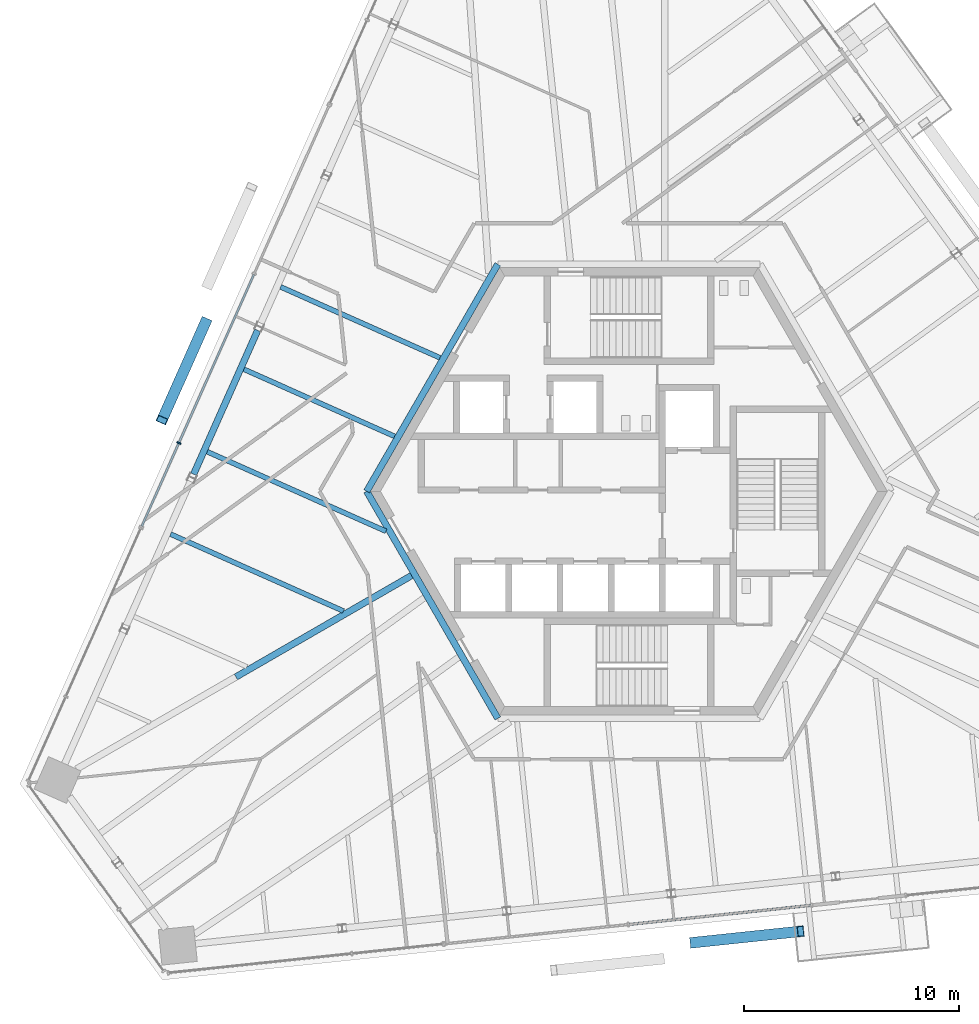
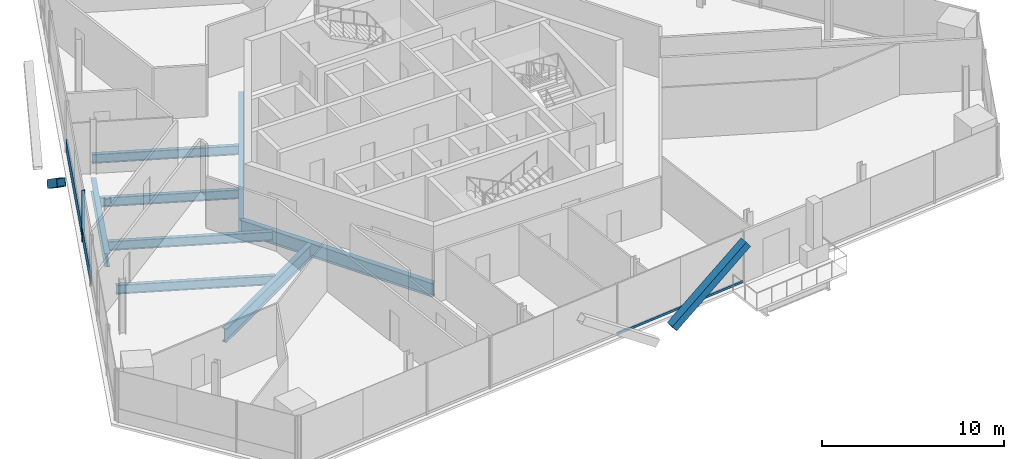
# One storey, part 5 of 18: 8 beams, 6 members, 2 elements without a shape of their own.
"""IFC4 building model written with IfcOpenShell, lengths in metres."""

import ifcopenshell
import ifcopenshell.guid

model = None  # the IFC model being written
_history = None  # IfcOwnerHistory: only IFC2X3 demands one
_inside = {}  # id of a spatial element -> (the spatial element, [elements in it])
_under = {}  # id of a project, library or spatial element -> (it, [spatial elements below it])
_declared = {}  # id of a project -> (the project, [libraries it declares])
_typed = {}  # id of a type object -> (the type object, [elements of that type])
_made_of = {}  # id of a material, layer set ... -> (it, [elements and type objects made of it])


def new_model(schema):
    """Start an empty IFC model of exactly this schema.

    Asked for "IFC4X3", IfcOpenShell would pick the latest addendum, in which some entities
    have other attributes; the version numbers below select the first issue.
    IFC2X3 requires an IfcOwnerHistory on every rooted entity: one is made here for all.
    """
    global model, _history
    if schema == "IFC4X3":
        model = ifcopenshell.file(schema_version=(4, 3, 0, 0))
    else:
        model = ifcopenshell.file(schema=schema)
    _inside.clear()
    _under.clear()
    _declared.clear()
    _typed.clear()
    _made_of.clear()
    _history = None
    if model.schema == "IFC2X3":
        org = make("IfcOrganization", Name="unknown")
        user = make(
            "IfcPersonAndOrganization",
            ThePerson=make("IfcPerson", FamilyName="unknown"),
            TheOrganization=org,
        )
        app = make(
            "IfcApplication",
            ApplicationDeveloper=org,
            Version="unknown",
            ApplicationFullName="unknown",
            ApplicationIdentifier="unknown",
        )
        _history = make(
            "IfcOwnerHistory",
            OwningUser=user,
            OwningApplication=app,
            ChangeAction="ADDED",
            CreationDate=0,
        )
    return model


def make(cls, **values):
    """One entity of the class cls with the attributes given. An attribute that is None is left unset."""
    return model.create_entity(
        cls, **{name: value for name, value in values.items() if value is not None}
    )


def rooted(cls, **values):
    """An entity with a GlobalId (a new one), such as an element, a storey or a relation."""
    return make(cls, GlobalId=ifcopenshell.guid.new(), OwnerHistory=_history, **values)


def si_unit(unit_type, name, prefix=None):
    """IfcSIUnit, for example si_unit("LENGTHUNIT", "METRE", prefix="MILLI")."""
    return make("IfcSIUnit", UnitType=unit_type, Prefix=prefix, Name=name)


def assignment(units):
    """IfcUnitAssignment: the units of a project."""
    return None if units is None else make("IfcUnitAssignment", Units=units)


def point(xyz):
    """IfcCartesianPoint."""
    return None if xyz is None else make("IfcCartesianPoint", Coordinates=xyz)


def direction(xyz):
    """IfcDirection."""
    return None if xyz is None else make("IfcDirection", DirectionRatios=xyz)


def frame(location, z_axis=None, x_axis=None):
    """IfcAxis2Placement3D, a coordinate frame: its origin and axes. An axis left out is left unset."""
    return make(
        "IfcAxis2Placement3D",
        Location=point(location),
        Axis=direction(z_axis),
        RefDirection=direction(x_axis),
    )


def frame_2d(location, x_axis=None):
    """IfcAxis2Placement2D, a coordinate frame in the plane: its origin and x axis."""
    return make(
        "IfcAxis2Placement2D", Location=point(location), RefDirection=direction(x_axis)
    )


def origin():
    """The frame at (0, 0, 0) with its axes left unset."""
    return frame((0.0, 0.0, 0.0))


def origin_2d():
    """The frame at (0, 0) in the plane with its x axis left unset."""
    return frame_2d((0.0, 0.0))


def place(relative_to, where):
    """IfcLocalPlacement: puts the frame where relative to a parent placement (None: the world)."""
    return make(
        "IfcLocalPlacement", PlacementRelTo=relative_to, RelativePlacement=where
    )


def context(
    kind, dimensions, precision=None, world=None, true_north=None, identifier=None
):
    """IfcGeometricRepresentationContext, for example the 3D "Model" context."""
    return make(
        "IfcGeometricRepresentationContext",
        ContextIdentifier=identifier,
        ContextType=kind,
        CoordinateSpaceDimension=dimensions,
        Precision=precision,
        WorldCoordinateSystem=world,
        TrueNorth=true_north,
    )


def subcontext(parent, identifier, kind, view, scale=None):
    """IfcGeometricRepresentationSubContext, for example "Body" below "Model"."""
    return make(
        "IfcGeometricRepresentationSubContext",
        ContextIdentifier=identifier,
        ContextType=kind,
        ParentContext=parent,
        TargetScale=scale,
        TargetView=view,
    )


def project(units=None, contexts=None):
    """IfcProject with its units and contexts."""
    return rooted(
        "IfcProject",
        Name="project",
        RepresentationContexts=contexts,
        UnitsInContext=assignment(units),
    )


def spatial(cls, under=None, at=None, **own):
    """A site, building, storey or space (cls), placed at a placement, below another one or the project."""
    s = rooted(cls, ObjectPlacement=at, **own)
    if under is not None:
        _under.setdefault(under.id(), (under, []))[1].append(s)
    return s


def profile(cls, at=None, kind="AREA", **sizes):
    """A parametric profile (cls). Its sizes go by their IFC names, for example OverallWidth=200.0."""
    return make(cls, ProfileType=kind, Position=at, **sizes)


def rectangle(**sizes):
    """IfcRectangleProfileDef."""
    return profile("IfcRectangleProfileDef", **sizes)


def hollow_rectangle(**sizes):
    """IfcRectangleHollowProfileDef."""
    return profile("IfcRectangleHollowProfileDef", **sizes)


def i_section(**sizes):
    """IfcIShapeProfileDef."""
    return profile("IfcIShapeProfileDef", **sizes)


def extrude(swept, where, along, depth):
    """IfcExtrudedAreaSolid: the profile swept, set in the frame where, extruded along a direction by depth."""
    return make(
        "IfcExtrudedAreaSolid",
        SweptArea=swept,
        Position=where,
        ExtrudedDirection=direction(along),
        Depth=depth,
    )


def shape(context_of_items, identifier, shape_type, items):
    """IfcShapeRepresentation: the items that make up one representation, for example the "Body"."""
    return make(
        "IfcShapeRepresentation",
        ContextOfItems=context_of_items,
        RepresentationIdentifier=identifier,
        RepresentationType=shape_type,
        Items=items,
    )


def source(mapping_origin, context_of_items, identifier, shape_type, items):
    """IfcRepresentationMap: a shape defined once, which mapped items show again and again."""
    return make(
        "IfcRepresentationMap",
        MappingOrigin=mapping_origin,
        MappedRepresentation=shape(context_of_items, identifier, shape_type, items),
    )


def transform(
    local_origin,
    x_axis=None,
    y_axis=None,
    z_axis=None,
    scale=None,
    scale2=None,
    scale3=None,
    uniform=True,
):
    """IfcCartesianTransformationOperator3D, or its non-uniform kind. x_axis, y_axis, z_axis: its Axis1, 2, 3."""
    if uniform:
        return make(
            "IfcCartesianTransformationOperator3D",
            Axis1=direction(x_axis),
            Axis2=direction(y_axis),
            LocalOrigin=point(local_origin),
            Scale=scale,
            Axis3=direction(z_axis),
        )
    return make(
        "IfcCartesianTransformationOperator3DnonUniform",
        Axis1=direction(x_axis),
        Axis2=direction(y_axis),
        LocalOrigin=point(local_origin),
        Scale=scale,
        Axis3=direction(z_axis),
        Scale2=scale2,
        Scale3=scale3,
    )


def mapped(mapping_source, mapping_target):
    """IfcMappedItem: shows the shape of a source again, moved by a transform."""
    return make(
        "IfcMappedItem", MappingSource=mapping_source, MappingTarget=mapping_target
    )


def material(Name=None, Category=None):
    """IfcMaterial."""
    return make("IfcMaterial", Name=Name, Category=Category)


def material_profile(
    of_material, cross_section, Name=None, Category=None, Priority=None
):
    """IfcMaterialProfile: a cross section and its material."""
    return make(
        "IfcMaterialProfile",
        Name=Name,
        Material=of_material,
        Profile=cross_section,
        Priority=Priority,
        Category=Category,
    )


def profile_set(profiles, Name=None, composite=None):
    """IfcMaterialProfileSet."""
    return make(
        "IfcMaterialProfileSet",
        Name=Name,
        MaterialProfiles=profiles,
        CompositeProfile=composite,
    )


def made_of(thing, what):
    """Note that an element or type object is made of a material, layer set ...; save() writes the relation."""
    if what is not None:
        _made_of.setdefault(what.id(), (what, []))[1].append(thing)
    return thing


def type_object(cls, material=None, **own):
    """A type object (cls), such as IfcWallType, which elements share."""
    return made_of(rooted(cls, **own), material)


def element(
    cls,
    number,
    at=None,
    inside=None,
    cuts=None,
    type_object=None,
    material=None,
    context=None,
    identifier="Body",
    shape_type=None,
    held_by="IfcProductDefinitionShape",
    body=None,
    shapes=None,
    **own,
):
    """One element of the class cls, such as IfcWall. Its Tag is "e" and its number.

    at: its placement. inside: the storey or other place that contains it. cuts: it is an
    opening in that element (IfcRelVoidsElement). A single representation is given by context,
    identifier, shape_type and body (its items); several are given by shapes. held_by: the class
    of the entity that holds the representations. save() writes the other relations.
    """
    e = rooted(cls, Tag="e%d" % number, ObjectPlacement=at, **own)
    if body is not None:
        shapes = [shape(context, identifier, shape_type, body)]
    if shapes is not None:
        e.Representation = make(held_by, Representations=shapes)
    if inside is not None:
        _inside.setdefault(inside.id(), (inside, []))[1].append(e)
    if cuts is not None:
        rooted(
            "IfcRelVoidsElement", RelatingBuildingElement=cuts, RelatedOpeningElement=e
        )
    if type_object is not None:
        _typed.setdefault(type_object.id(), (type_object, []))[1].append(e)
    return made_of(e, material)


def aggregate(whole, parts):
    """IfcRelAggregates: a whole, such as a stair, and the parts it consists of."""
    return rooted("IfcRelAggregates", RelatingObject=whole, RelatedObjects=parts)


def save(model, path):
    """Write the relations noted so far, then the file.

    IfcRelAggregates (storeys below a building ...), IfcRelContainedInSpatialStructure (elements
    in a storey), IfcRelDefinesByType, IfcRelAssociatesMaterial and IfcRelDeclares: one each for
    every whole, place, type object, material and project.
    """
    for whole, parts in _under.values():
        aggregate(whole, parts)
    for where, things in _inside.values():
        rooted(
            "IfcRelContainedInSpatialStructure",
            RelatedElements=things,
            RelatingStructure=where,
        )
    for kind, things in _typed.values():
        rooted("IfcRelDefinesByType", RelatedObjects=things, RelatingType=kind)
    for what, things in _made_of.values():
        rooted("IfcRelAssociatesMaterial", RelatedObjects=things, RelatingMaterial=what)
    for by, libraries in _declared.values():
        rooted("IfcRelDeclares", RelatingContext=by, RelatedDefinitions=libraries)
    model.write(path)


model = new_model("IFC4")

# Units and contexts
model_context = context("Model", 3, precision=1e-05, world=origin(), true_north=direction((0.0, 1.0)))
body_context = subcontext(model_context, "Body", "Model", "MODEL_VIEW")
ifc_project = project(units=[si_unit("LENGTHUNIT", "METRE"), si_unit("AREAUNIT", "SQUARE_METRE"), si_unit("VOLUMEUNIT", "CUBIC_METRE"), si_unit("PLANEANGLEUNIT", "RADIAN"), si_unit("MASSUNIT", "GRAM", prefix="KILO")], contexts=[model_context])

# Site, building, storey
site_placement = place(None, origin())
site = spatial("IfcSite", under=ifc_project, at=site_placement, CompositionType="ELEMENT")
building_placement = place(site_placement, origin())
building = spatial("IfcBuilding", under=site, at=building_placement, Name="Triune Harvest Tower", CompositionType="ELEMENT")
storey_placement = place(building_placement, frame((0.0, 0.0, 237.699951171875)))
storey = spatial("IfcBuildingStorey", under=building, at=storey_placement, Name="L62", CompositionType="ELEMENT", Elevation=237.699951171875)

# Beams
ifc_material_1 = material(Name="Steel ASTM A992 Gr 50", Category="steel")
ifc_material_profile_1 = material_profile(ifc_material_1, i_section(OverallWidth=0.3046875, OverallDepth=0.914306640625, WebThickness=0.0166015625, FlangeThickness=0.02587890625, at=origin_2d()), Name="W36x160")
ifc_profile_set_1 = profile_set([ifc_material_profile_1], Name="Steel ASTM A992 Gr 50")
beam_type_1 = type_object("IfcBeamType", Name="CG-1 Core ring girder W36x160", PredefinedType="BEAM", material=ifc_profile_set_1)
shared_shape_1 = source(origin(), body_context, "Body", "SweptSolid", [
    extrude(i_section(OverallWidth=0.3046875, OverallDepth=0.914306640625, WebThickness=0.0166015625, FlangeThickness=0.02587890625, at=origin_2d()), origin(), (0.0, 0.0, 1.0), 12.176025390625),
])
for number, where, z_axis, x_axis, name in (
    (1, (-6.087890625, 10.544677734375, -0.6171875), (-0.5000099932, -0.866019634131, 0.0), (0.866019634131, -0.5000099932, 0.0), "beam/L62/CG3"),
    (2, (-12.176025390625, 0.0, -0.6171875), (0.5000099932, -0.866019634131, 0.0), (0.866019634131, 0.5000099932, 0.0), "beam/L62/CG4"),
):
    element("IfcBeam", number, at=place(storey_placement, frame(where, z_axis=z_axis, x_axis=x_axis)), inside=storey, type_object=beam_type_1, Name=name, PredefinedType="BEAM", context=body_context, shape_type="MappedRepresentation", body=[
        mapped(shared_shape_1, transform((0.0, 0.0, 0.0), scale=1.0)),
    ])
ifc_material_2 = material(Name="Steel ASTM A992 Gr 50", Category="steel")
ifc_material_profile_2 = material_profile(ifc_material_2, i_section(OverallWidth=0.3046875, OverallDepth=0.914306640625, WebThickness=0.0166015625, FlangeThickness=0.02587890625, at=origin_2d()), Name="W36x160")
ifc_profile_set_2 = profile_set([ifc_material_profile_2], Name="Steel ASTM A992 Gr 50")
beam_type_2 = type_object("IfcBeamType", Name="HG-3 Hip girder W36x160", PredefinedType="BEAM", material=ifc_profile_set_2)
shared_shape_2 = source(origin(), body_context, "Body", "SweptSolid", [
    extrude(i_section(OverallWidth=0.3046875, OverallDepth=0.914306640625, WebThickness=0.0166015625, FlangeThickness=0.02587890625, at=origin_2d()), origin(), (0.0, 0.0, 1.0), 9.416259765625),
])
beam_1_placement = place(storey_placement, frame((-18.247802734375, -8.62060546875, -0.6171875), z_axis=(0.866032742664, 0.499987288472, 0.0), x_axis=(-0.499987288472, 0.866032742664, 0.0)))
element("IfcBeam", 3, at=beam_1_placement, inside=storey, type_object=beam_type_2, Name="beam/L62/HG6", PredefinedType="BEAM", context=body_context, shape_type="MappedRepresentation", body=[
    mapped(shared_shape_2, transform((0.0, 0.0, 0.0), scale=1.0)),
])
ifc_material_3 = material(Name="Steel ASTM A992 Gr 50", Category="steel")
ifc_material_profile_3 = material_profile(ifc_material_3, i_section(OverallWidth=0.3046875, OverallDepth=0.914306640625, WebThickness=0.0166015625, FlangeThickness=0.02587890625, at=origin_2d()), Name="W36x160")
ifc_profile_set_3 = profile_set([ifc_material_profile_3], Name="Steel ASTM A992 Gr 50")
beam_type_3 = type_object("IfcBeamType", Name="SB-1 Spandrel beam W36x160", PredefinedType="SPANDREL", material=ifc_profile_set_3)
shared_shape_3 = source(origin(), body_context, "Body", "SweptSolid", [
    extrude(i_section(OverallWidth=0.3046875, OverallDepth=0.914306640625, WebThickness=0.0166015625, FlangeThickness=0.02587890625, at=origin_2d()), origin(), (0.0, 0.0, 1.0), 7.311279296875),
])
beam_2_placement = place(storey_placement, frame((-17.238525390625, 7.4736328125, -0.6171875), z_axis=(-0.406748727305, -0.913540077301, 0.0), x_axis=(0.913540077301, -0.406748727305, 0.0)))
element("IfcBeam", 4, at=beam_2_placement, inside=storey, type_object=beam_type_3, Name="beam/L62/SB12", PredefinedType="SPANDREL", context=body_context, shape_type="MappedRepresentation", body=[
    mapped(shared_shape_3, transform((0.0, 0.0, 0.0), scale=1.0)),
])
ifc_material_4 = material(Name="Steel ASTM A992 Gr 50", Category="steel")
ifc_material_profile_4 = material_profile(ifc_material_4, i_section(OverallWidth=0.22900390625, OverallDepth=0.612060546875, WebThickness=0.011962890625, FlangeThickness=0.01953125, at=origin_2d()), Name="W24x84")
ifc_profile_set_4 = profile_set([ifc_material_profile_4], Name="Steel ASTM A992 Gr 50")
beam_type_4 = type_object("IfcBeamType", Name="JT-3 Floor joist W24x84", PredefinedType="JOIST", material=ifc_profile_set_4)
shared_shape_4 = source(origin(), body_context, "Body", "SweptSolid", [
    extrude(i_section(OverallWidth=0.22900390625, OverallDepth=0.612060546875, WebThickness=0.011962890625, FlangeThickness=0.01953125, at=origin_2d()), origin(), (0.0, 0.0, 1.0), 8.099609375),
])
beam_3_placement = place(storey_placement, frame((-16.172607421875, 9.4931640625, -0.466064453125), z_axis=(0.913545356779, -0.406736869618, 0.0), x_axis=(0.406736869618, 0.913545356779, 0.0)))
element("IfcBeam", 5, at=beam_3_placement, inside=storey, type_object=beam_type_4, Name="beam/L62/JT17", PredefinedType="JOIST", context=body_context, shape_type="MappedRepresentation", body=[
    mapped(shared_shape_4, transform((0.0, 0.0, 0.0), scale=1.0)),
])
shared_shape_5 = source(origin(), body_context, "Body", "SweptSolid", [
    extrude(i_section(OverallWidth=0.22900390625, OverallDepth=0.612060546875, WebThickness=0.011962890625, FlangeThickness=0.01953125, at=origin_2d()), origin(), (0.0, 0.0, 1.0), 7.659423828125),
])
beam_4_placement = place(storey_placement, frame((-17.876220703125, 5.66650390625, -0.466064453125), z_axis=(0.913536623341, -0.406756484663, 0.0), x_axis=(0.406756484663, 0.913536623341, 0.0)))
element("IfcBeam", 6, at=beam_4_placement, inside=storey, type_object=beam_type_4, Name="beam/L62/JT18", PredefinedType="JOIST", context=body_context, shape_type="MappedRepresentation", body=[
    mapped(shared_shape_5, transform((0.0, 0.0, 0.0), scale=1.0)),
])
shared_shape_6 = source(origin(), body_context, "Body", "SweptSolid", [
    extrude(i_section(OverallWidth=0.22900390625, OverallDepth=0.612060546875, WebThickness=0.011962890625, FlangeThickness=0.01953125, at=origin_2d()), origin(), (0.0, 0.0, 1.0), 9.084716796875),
])
beam_5_placement = place(storey_placement, frame((-19.580078125, 1.83984375, -0.466064453125), z_axis=(0.913546495421, -0.406734312179, 0.0), x_axis=(0.406734312179, 0.913546495421, 0.0)))
element("IfcBeam", 7, at=beam_5_placement, inside=storey, type_object=beam_type_4, Name="beam/L62/JT19", PredefinedType="JOIST", context=body_context, shape_type="MappedRepresentation", body=[
    mapped(shared_shape_6, transform((0.0, 0.0, 0.0), scale=1.0)),
])
shared_shape_7 = source(origin(), body_context, "Body", "SweptSolid", [
    extrude(i_section(OverallWidth=0.22900390625, OverallDepth=0.612060546875, WebThickness=0.011962890625, FlangeThickness=0.01953125, at=origin_2d()), origin(), (0.0, 0.0, 1.0), 8.789306640625),
])
beam_6_placement = place(storey_placement, frame((-21.28369140625, -1.98681640625, -0.466064453125), z_axis=(0.913542165142, -0.406744038074, 0.0), x_axis=(0.406744038074, 0.913542165142, 0.0)))
element("IfcBeam", 8, at=beam_6_placement, inside=storey, type_object=beam_type_4, Name="beam/L62/JT20", PredefinedType="JOIST", context=body_context, shape_type="MappedRepresentation", body=[
    mapped(shared_shape_7, transform((0.0, 0.0, 0.0), scale=1.0)),
])

# Members
ifc_material_5 = material(Name="Steel ASTM A572 Gr 50", Category="steel")
ifc_material_profile_5 = material_profile(ifc_material_5, hollow_rectangle(XDim=0.5, YDim=0.5, WallThickness=0.030029296875, at=origin_2d()), Name="Box 500x500x30")
ifc_profile_set_5 = profile_set([ifc_material_profile_5], Name="Steel ASTM A572 Gr 50")
member_type_1 = type_object("IfcMemberType", Name="BR-3 Brace Box 500x500x30", PredefinedType="BRACE", material=ifc_profile_set_5)
shared_shape_8 = source(origin(), body_context, "Body", "SweptSolid", [
    extrude(hollow_rectangle(XDim=0.5, YDim=0.5, WallThickness=0.030029296875, at=origin_2d()), origin(), (0.0, 0.0, 1.0), 6.1708984375),
])
for number, where, z_axis, x_axis, name in (
    (9, (-19.642822265625, 7.889404296875, 0.0), (-0.330352036276, -0.741966717165, 0.583397739752), (0.913542177249, -0.406744010879, 0.0), "brace/B6-F3/d1/6"),
    (10, (2.989013671875, -20.955810546875, 0.0), (0.807731140993, 0.084903557434, 0.583405339199), (-0.104537710696, 0.994520923381, 0.0), "brace/B6-F5/d1/6"),
):
    element("IfcMember", number, at=place(storey_placement, frame(where, z_axis=z_axis, x_axis=x_axis)), inside=storey, type_object=member_type_1, Name=name, PredefinedType="BRACE", context=body_context, shape_type="MappedRepresentation", body=[
        mapped(shared_shape_8, transform((0.0, 0.0, 0.0), scale=1.0)),
    ])

# Curtain wall, member
ifc_material_6 = material(Name="Aluminium bronze anodised", Category="aluminium")
curtain_wall_type_1 = type_object("IfcCurtainWallType", Name="CW-7 Tower stick curtain wall with insulated spandrel infill", PredefinedType="NOTDEFINED", material=ifc_material_6)
curtain_wall_1_placement = place(storey_placement, origin())
curtain_wall_1 = element("IfcCurtainWall", 11, at=curtain_wall_1_placement, inside=storey, type_object=curtain_wall_type_1, Name="CW-7 B6-F3 L62 run 1001")
ifc_material_7 = material(Name="Aluminium bronze anodised", Category="aluminium")
ifc_material_profile_6 = material_profile(ifc_material_7, rectangle(XDim=0.199951171875, YDim=0.074951171875, at=origin_2d()), Name="MU-1 mullion 75 x 200")
ifc_profile_set_6 = profile_set([ifc_material_profile_6], Name="Aluminium bronze anodised")
member_type_2 = type_object("IfcMemberType", Name="MU-1 mullion 75 x 200", PredefinedType="MULLION", material=ifc_profile_set_6)
shared_shape_9 = source(origin(), body_context, "Body", "SweptSolid", [
    extrude(rectangle(XDim=0.199951171875, YDim=0.074951171875, at=origin_2d()), origin(), (0.0, 0.0, 1.0), 3.43994140625),
])
member_1_placement = place(storey_placement, frame((-20.897705078125, 2.24365234375, 0.0), z_axis=(0.0, 0.0, 1.0), x_axis=(0.913543213981, -0.406741682385, 0.0)))
member_1 = element("IfcMember", 12, at=member_1_placement, type_object=member_type_2, Name="CW-7 mullion B6-F3 1001.5", PredefinedType="MULLION", context=body_context, shape_type="MappedRepresentation", body=[
    mapped(shared_shape_9, transform((0.0, 0.0, 0.0), scale=1.0)),
])

ifc_material_8 = material(Name="Aluminium bronze anodised", Category="aluminium")
curtain_wall_type_2 = type_object("IfcCurtainWallType", Name="CW-10 Balcony window wall with insulated spandrel infill", PredefinedType="NOTDEFINED", material=ifc_material_8)
curtain_wall_2_placement = place(storey_placement, origin())
curtain_wall_2 = element("IfcCurtainWall", 13, at=curtain_wall_2_placement, inside=storey, type_object=curtain_wall_type_2, Name="CW-10 B6-F5 L62 run 1001")
ifc_material_9 = material(Name="Aluminium bronze anodised", Category="aluminium")
ifc_material_profile_7 = material_profile(ifc_material_9, rectangle(XDim=0.090087890625, YDim=0.14990234375, at=origin_2d()), Name="TR-6 transom 90 x 150")
ifc_profile_set_7 = profile_set([ifc_material_profile_7], Name="Aluminium bronze anodised")
member_type_3 = type_object("IfcMemberType", Name="TR-6 transom 90 x 150", PredefinedType="USERDEFINED", material=ifc_profile_set_7)
shared_shape_10 = source(origin(), body_context, "Body", "SweptSolid", [
    extrude(rectangle(XDim=0.090087890625, YDim=0.14990234375, at=origin_2d()), origin(), (0.0, 0.0, 1.0), 8.49462890625),
])
member_2_placement = place(storey_placement, frame((0.007568359375, -20.11279296875, 0.074951171875), z_axis=(0.994521661879, 0.104530684746, 0.0), x_axis=(-0.104530684746, 0.994521661879, 0.0)))
member_2 = element("IfcMember", 14, at=member_2_placement, type_object=member_type_3, Name="CW-10 transom B6-F5 1001.2", ObjectType="TRANSOM", PredefinedType="USERDEFINED", context=body_context, shape_type="MappedRepresentation", body=[
    mapped(shared_shape_10, transform((0.0, 0.0, 0.0), scale=1.0)),
])
aggregate(curtain_wall_2, [member_2])

# Member
ifc_material_10 = material(Name="Aluminium bronze anodised", Category="aluminium")
ifc_material_profile_8 = material_profile(ifc_material_10, rectangle(XDim=0.090087890625, YDim=0.89990234375, at=origin_2d()), Name="TR-1 transom 90 x 900")
ifc_profile_set_8 = profile_set([ifc_material_profile_8], Name="Aluminium bronze anodised")
member_type_4 = type_object("IfcMemberType", Name="TR-1 transom 90 x 900", PredefinedType="USERDEFINED", material=ifc_profile_set_8)
shared_shape_11 = source(origin(), body_context, "Body", "SweptSolid", [
    extrude(rectangle(XDim=0.090087890625, YDim=0.89990234375, at=origin_2d()), origin(), (0.0, 0.0, 1.0), 4.1875),
])
member_3_placement = place(storey_placement, frame((-20.912841796875, 2.20947265625, 0.449951171875), z_axis=(-0.40677127315, -0.913530038554, 0.0), x_axis=(0.913530038554, -0.40677127315, 0.0)))
member_3 = element("IfcMember", 15, at=member_3_placement, type_object=member_type_4, Name="CW-7 transom B6-F3 1001.3", ObjectType="TRANSOM", PredefinedType="USERDEFINED", context=body_context, shape_type="MappedRepresentation", body=[
    mapped(shared_shape_11, transform((0.0, 0.0, 0.0), scale=1.0)),
])

shared_shape_12 = source(origin(), body_context, "Body", "SweptSolid", [
    extrude(rectangle(XDim=0.090087890625, YDim=0.89990234375, at=origin_2d()), origin(), (0.0, 0.0, 1.0), 8.52490234375),
])
member_4_placement = place(storey_placement, frame((-17.414794921875, 10.06591796875, 0.449951171875), z_axis=(-0.406752182454, -0.913538538907, 0.0), x_axis=(0.913538538907, -0.406752182454, 0.0)))
member_4 = element("IfcMember", 16, at=member_4_placement, type_object=member_type_4, Name="CW-7 transom B6-F3 1001.2", ObjectType="TRANSOM", PredefinedType="USERDEFINED", context=body_context, shape_type="MappedRepresentation", body=[
    mapped(shared_shape_12, transform((0.0, 0.0, 0.0), scale=1.0)),
])

aggregate(curtain_wall_1, [member_1, member_4, member_3])

save(model, "model.ifc")
